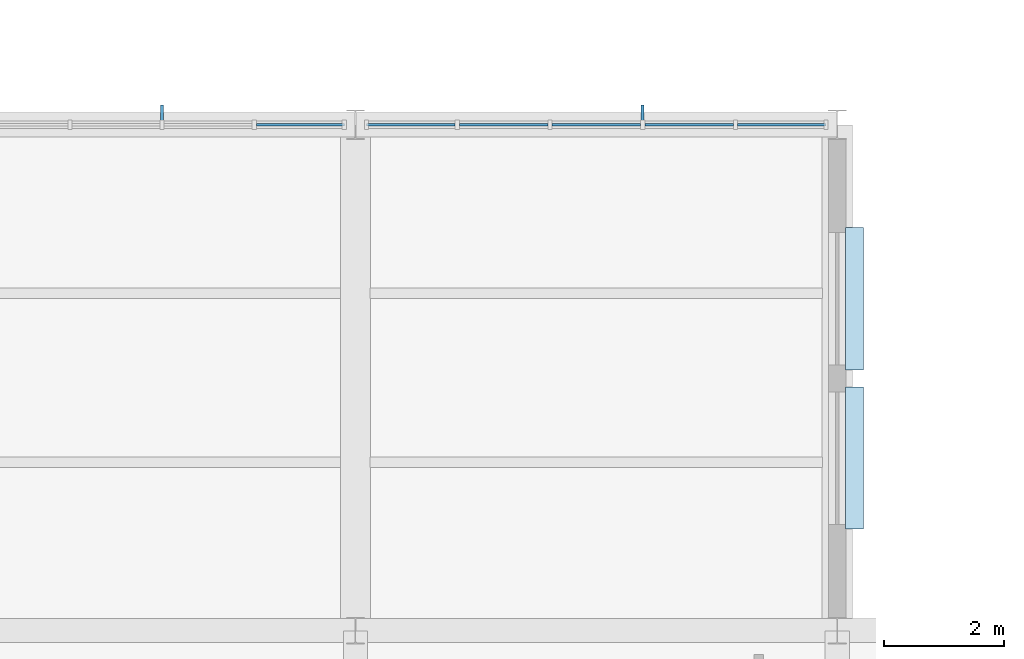
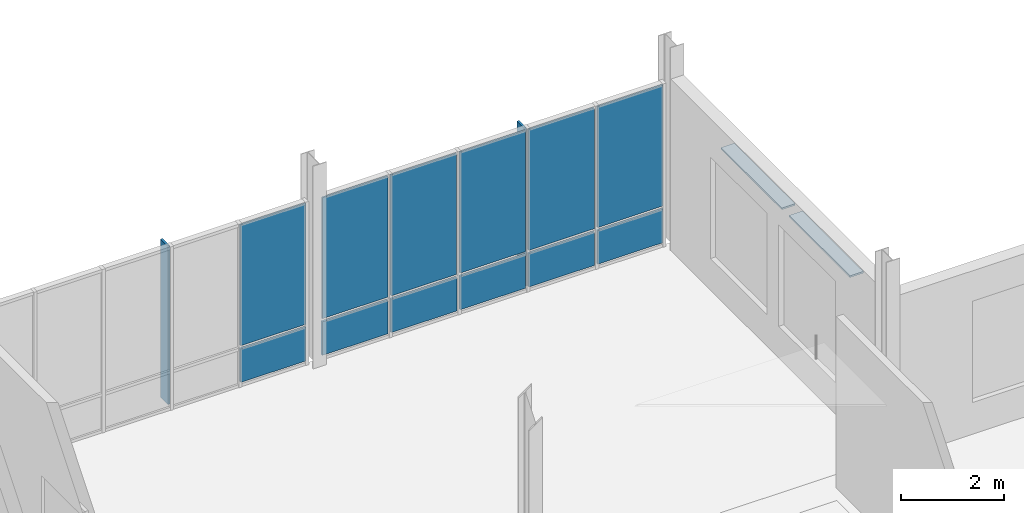
# One storey, part 48 of 82: 16 plates, 2 elements without a shape of their own.
"""IFC4 building model written with IfcOpenShell, lengths in metres."""

from ifc_helpers import new_model, si_unit, direction, frame, origin, origin_2d, place, context, subcontext, project, spatial, rectangle, extrude, material, layer, layer_set, type_object, element, aggregate, save


model = new_model("IFC4")

# Units and contexts
model_context = context("Model", 3, precision=1e-05, world=origin(), true_north=direction((0.0, 1.0)))
body_context = subcontext(model_context, "Body", "Model", "MODEL_VIEW")
ifc_project = project(units=[si_unit("LENGTHUNIT", "METRE"), si_unit("AREAUNIT", "SQUARE_METRE"), si_unit("VOLUMEUNIT", "CUBIC_METRE"), si_unit("PLANEANGLEUNIT", "RADIAN"), si_unit("MASSUNIT", "GRAM", prefix="KILO")], contexts=[model_context])

# Site, building, storey
site_placement = place(None, origin())
site = spatial("IfcSite", under=ifc_project, at=site_placement, CompositionType="ELEMENT")
building_placement = place(site_placement, origin())
building = spatial("IfcBuilding", under=site, at=building_placement, Name="Yukiwa Park Conservatory and Herbarium", CompositionType="ELEMENT")
storey_placement = place(building_placement, origin())
storey = spatial("IfcBuildingStorey", under=building, at=storey_placement, Name="L00", CompositionType="ELEMENT", Elevation=0.0)

# Curtain wall, plates
ifc_material_1 = material(Name="Triple Low-E Insulated Glass", Category="glass")
ifc_layer_1 = layer(ifc_material_1, 0.236083984375)
ifc_layer_set_1 = layer_set([ifc_layer_1], Name="Triple Low-E Insulated Glass")
curtain_wall_type = type_object("IfcCurtainWallType", Name="CW-LINK-1500", PredefinedType="NOTDEFINED", material=ifc_layer_set_1)
curtain_wall_1_placement = place(storey_placement, origin())
curtain_wall_1 = element("IfcCurtainWall", 1, at=curtain_wall_1_placement, inside=storey, type_object=curtain_wall_type, Name="L00 unitised curtain wall CW-L00-015", PredefinedType="NOTDEFINED")
ifc_material_2 = material(Name="Triple Low-E Insulated Glass", Category="glass")
ifc_layer_2 = layer(ifc_material_2, 0.035888671875)
ifc_layer_set_2 = layer_set([ifc_layer_2], Name="Triple Low-E Insulated Glass")
plate_type_1 = type_object("IfcPlateType", Name="PL-CW-GLZ-36", PredefinedType="CURTAIN_PANEL", material=ifc_layer_set_2)
plate_1_placement = place(storey_placement, frame((75.080078125, 86.39990234375, 0.93505859375), z_axis=(0.0, 0.0, 1.0), x_axis=(-1.0, 0.0, 0.0)))
plate_1 = element("IfcPlate", 2, at=plate_1_placement, type_object=plate_type_1, Name="CW-L00-015 vision panel 1.2", PredefinedType="CURTAIN_PANEL", context=body_context, shape_type="SweptSolid", body=[
    extrude(rectangle(XDim=1.469970703125, YDim=0.035888671875, at=origin_2d()), origin(), (0.0, 0.0, 1.0), 2.863037109375),
])
plate_2_placement = place(storey_placement, frame((73.5400390625, 86.39990234375, 0.93505859375), z_axis=(0.0, 0.0, 1.0), x_axis=(-1.0, 0.0, 0.0)))
plate_2 = element("IfcPlate", 3, at=plate_2_placement, type_object=plate_type_1, Name="CW-L00-015 vision panel 2.2", PredefinedType="CURTAIN_PANEL", context=body_context, shape_type="SweptSolid", body=[
    extrude(rectangle(XDim=1.469970703125, YDim=0.035888671875, at=origin_2d()), origin(), (0.0, 0.0, 1.0), 2.863037109375),
])
plate_3_placement = place(storey_placement, frame((72.0, 86.39990234375, 0.93505859375), z_axis=(0.0, 0.0, 1.0), x_axis=(-1.0, 0.0, 0.0)))
plate_3 = element("IfcPlate", 4, at=plate_3_placement, type_object=plate_type_1, Name="CW-L00-015 vision panel 3.2", PredefinedType="CURTAIN_PANEL", context=body_context, shape_type="SweptSolid", body=[
    extrude(rectangle(XDim=1.469970703125, YDim=0.035888671875, at=origin_2d()), origin(), (0.0, 0.0, 1.0), 2.863037109375),
])
plate_4_placement = place(storey_placement, frame((70.4599609375, 86.39990234375, 0.93505859375), z_axis=(0.0, 0.0, 1.0), x_axis=(-1.0, 0.0, 0.0)))
plate_4 = element("IfcPlate", 5, at=plate_4_placement, type_object=plate_type_1, Name="CW-L00-015 vision panel 4.2", PredefinedType="CURTAIN_PANEL", context=body_context, shape_type="SweptSolid", body=[
    extrude(rectangle(XDim=1.469970703125, YDim=0.035888671875, at=origin_2d()), origin(), (0.0, 0.0, 1.0), 2.863037109375),
])
plate_5_placement = place(storey_placement, frame((68.919921875, 86.39990234375, 0.93505859375), z_axis=(0.0, 0.0, 1.0), x_axis=(-1.0, 0.0, 0.0)))
plate_5 = element("IfcPlate", 6, at=plate_5_placement, type_object=plate_type_1, Name="CW-L00-015 vision panel 5.2", PredefinedType="CURTAIN_PANEL", context=body_context, shape_type="SweptSolid", body=[
    extrude(rectangle(XDim=1.469970703125, YDim=0.035888671875, at=origin_2d()), origin(), (0.0, 0.0, 1.0), 2.863037109375),
])

# Curtain wall, plate
curtain_wall_2_placement = place(storey_placement, origin())
curtain_wall_2 = element("IfcCurtainWall", 7, at=curtain_wall_2_placement, inside=storey, type_object=curtain_wall_type, Name="L00 unitised curtain wall CW-L00-016", PredefinedType="NOTDEFINED")
plate_6_placement = place(storey_placement, frame((67.0849609375, 86.39990234375, 0.93505859375), z_axis=(0.0, 0.0, 1.0), x_axis=(-1.0, 0.0, 0.0)))
plate_6 = element("IfcPlate", 8, at=plate_6_placement, type_object=plate_type_1, Name="CW-L00-016 vision panel 1.2", PredefinedType="CURTAIN_PANEL", context=body_context, shape_type="SweptSolid", body=[
    extrude(rectangle(XDim=1.4599609375, YDim=0.035888671875, at=origin_2d()), origin(), (0.0, 0.0, 1.0), 2.863037109375),
])

# Plate
ifc_material_3 = material(Name="Anodised Aluminium", Category="aluminium")
ifc_layer_3 = layer(ifc_material_3, 0.044921875)
ifc_layer_set_3 = layer_set([ifc_layer_3], Name="Anodised Aluminium")
plate_type_2 = type_object("IfcPlateType", Name="PL-CW-SPN-45", PredefinedType="CURTAIN_PANEL", material=ifc_layer_set_3)
plate_7_placement = place(storey_placement, frame((75.080078125, 86.39990234375, 0.070068359375), z_axis=(0.0, 0.0, 1.0), x_axis=(-1.0, 0.0, 0.0)))
plate_7 = element("IfcPlate", 9, at=plate_7_placement, type_object=plate_type_2, Name="CW-L00-015 spandrel panel 1.1", PredefinedType="CURTAIN_PANEL", context=body_context, shape_type="SweptSolid", body=[
    extrude(rectangle(XDim=1.469970703125, YDim=0.044921875, at=origin_2d()), origin(), (0.0, 0.0, 1.0), 0.794921875),
])

plate_8_placement = place(storey_placement, frame((73.5400390625, 86.39990234375, 0.070068359375), z_axis=(0.0, 0.0, 1.0), x_axis=(-1.0, 0.0, 0.0)))
plate_8 = element("IfcPlate", 10, at=plate_8_placement, type_object=plate_type_2, Name="CW-L00-015 spandrel panel 2.1", PredefinedType="CURTAIN_PANEL", context=body_context, shape_type="SweptSolid", body=[
    extrude(rectangle(XDim=1.469970703125, YDim=0.044921875, at=origin_2d()), origin(), (0.0, 0.0, 1.0), 0.794921875),
])

plate_9_placement = place(storey_placement, frame((72.0, 86.39990234375, 0.070068359375), z_axis=(0.0, 0.0, 1.0), x_axis=(-1.0, 0.0, 0.0)))
plate_9 = element("IfcPlate", 11, at=plate_9_placement, type_object=plate_type_2, Name="CW-L00-015 spandrel panel 3.1", PredefinedType="CURTAIN_PANEL", context=body_context, shape_type="SweptSolid", body=[
    extrude(rectangle(XDim=1.469970703125, YDim=0.044921875, at=origin_2d()), origin(), (0.0, 0.0, 1.0), 0.794921875),
])

plate_10_placement = place(storey_placement, frame((70.4599609375, 86.39990234375, 0.070068359375), z_axis=(0.0, 0.0, 1.0), x_axis=(-1.0, 0.0, 0.0)))
plate_10 = element("IfcPlate", 12, at=plate_10_placement, type_object=plate_type_2, Name="CW-L00-015 spandrel panel 4.1", PredefinedType="CURTAIN_PANEL", context=body_context, shape_type="SweptSolid", body=[
    extrude(rectangle(XDim=1.469970703125, YDim=0.044921875, at=origin_2d()), origin(), (0.0, 0.0, 1.0), 0.794921875),
])

plate_11_placement = place(storey_placement, frame((68.919921875, 86.39990234375, 0.070068359375), z_axis=(0.0, 0.0, 1.0), x_axis=(-1.0, 0.0, 0.0)))
plate_11 = element("IfcPlate", 13, at=plate_11_placement, type_object=plate_type_2, Name="CW-L00-015 spandrel panel 5.1", PredefinedType="CURTAIN_PANEL", context=body_context, shape_type="SweptSolid", body=[
    extrude(rectangle(XDim=1.469970703125, YDim=0.044921875, at=origin_2d()), origin(), (0.0, 0.0, 1.0), 0.794921875),
])

aggregate(curtain_wall_1, [plate_7, plate_1, plate_8, plate_2, plate_9, plate_3, plate_10, plate_4, plate_11, plate_5])

plate_12_placement = place(storey_placement, frame((67.0849609375, 86.39990234375, 0.070068359375), z_axis=(0.0, 0.0, 1.0), x_axis=(-1.0, 0.0, 0.0)))
plate_12 = element("IfcPlate", 14, at=plate_12_placement, type_object=plate_type_2, Name="CW-L00-016 spandrel panel 1.1", PredefinedType="CURTAIN_PANEL", context=body_context, shape_type="SweptSolid", body=[
    extrude(rectangle(XDim=1.4599609375, YDim=0.044921875, at=origin_2d()), origin(), (0.0, 0.0, 1.0), 0.794921875),
])

aggregate(curtain_wall_2, [plate_12, plate_6])

# Plates
ifc_material_4 = material(Name="Anodised Aluminium", Category="aluminium")
ifc_layer_4 = layer(ifc_material_4, 0.050048828125)
ifc_layer_set_4 = layer_set([ifc_layer_4], Name="Anodised Aluminium")
plate_type_3 = type_object("IfcPlateType", Name="PL-FIN-ALU-50", PredefinedType="USERDEFINED", material=ifc_layer_set_4)
for number, where, z_axis, x_axis, name in (
    (15, (72.77001953125, 86.590087890625, 0.06005859375), (0.0, 0.0, 1.0), (-1.0, 0.0, 0.0), "CW-L00-015 exterior vertical shading fin"),
    (16, (64.7900390625, 86.590087890625, 0.06005859375), (0.0, 0.0, 1.0), (-1.0, 0.0, 0.0), "CW-L00-016 exterior vertical shading fin"),
):
    element("IfcPlate", number, at=place(storey_placement, frame(where, z_axis=z_axis, x_axis=x_axis)), inside=storey, type_object=plate_type_3, Name=name, ObjectType="SHADING FIN", PredefinedType="USERDEFINED", context=body_context, shape_type="SweptSolid", body=[
        extrude(rectangle(XDim=0.050048828125, YDim=0.280029296875, at=origin_2d()), origin(), (0.0, 0.0, 1.0), 3.748046875),
    ])
ifc_material_5 = material(Name="Anodised Aluminium", Category="aluminium")
ifc_layer_5 = layer(ifc_material_5, 0.0400390625)
ifc_layer_set_5 = layer_set([ifc_layer_5], Name="Anodised Aluminium")
plate_type_4 = type_object("IfcPlateType", Name="PL-SHADE-ALU-40", PredefinedType="SHEET", material=ifc_layer_set_5)
for number, where, z_axis, x_axis, name in (
    (17, (76.284912109375, 80.864990234375, 3.18994140625), (0.0, 0.0, 1.0), (0.0, 1.0, 0.0), "L00 snow-shedding window hood 15"),
    (18, (76.284912109375, 83.510986328125, 3.18994140625), (0.0, 0.0, 1.0), (0.0, 1.0, 0.0), "L00 snow-shedding window hood 16"),
):
    element("IfcPlate", number, at=place(storey_placement, frame(where, z_axis=z_axis, x_axis=x_axis)), inside=storey, type_object=plate_type_4, Name=name, PredefinedType="SHEET", context=body_context, shape_type="SweptSolid", body=[
        extrude(rectangle(XDim=2.360107421875, YDim=0.300048828125, at=origin_2d()), origin(), (0.0, 0.0, 1.0), 0.0400390625),
    ])

save(model, "model.ifc")
